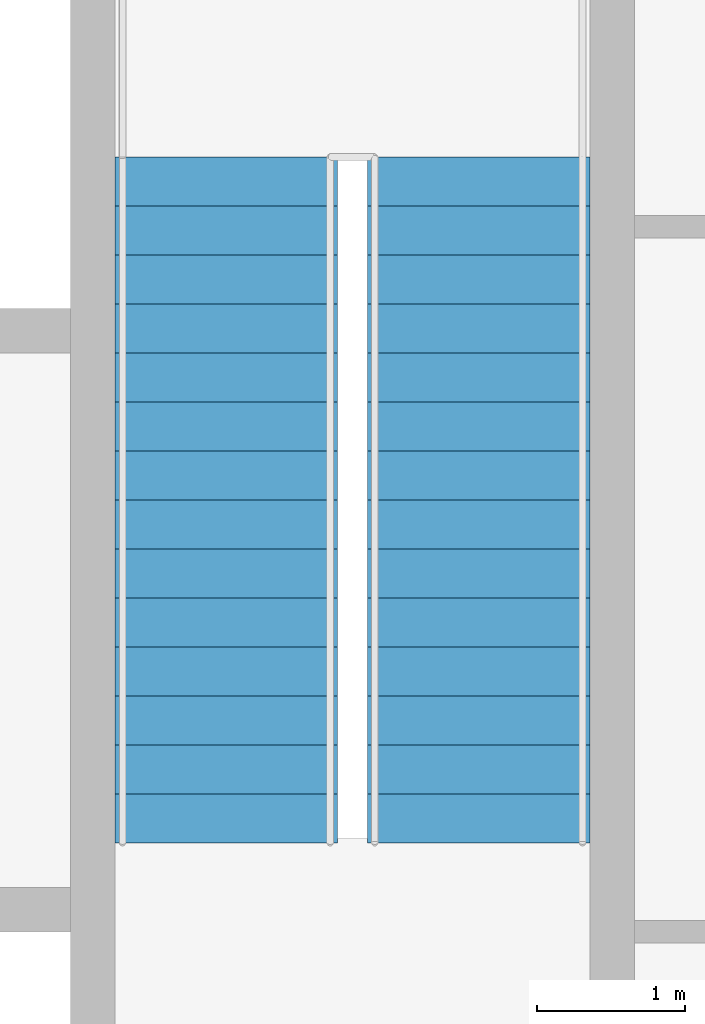
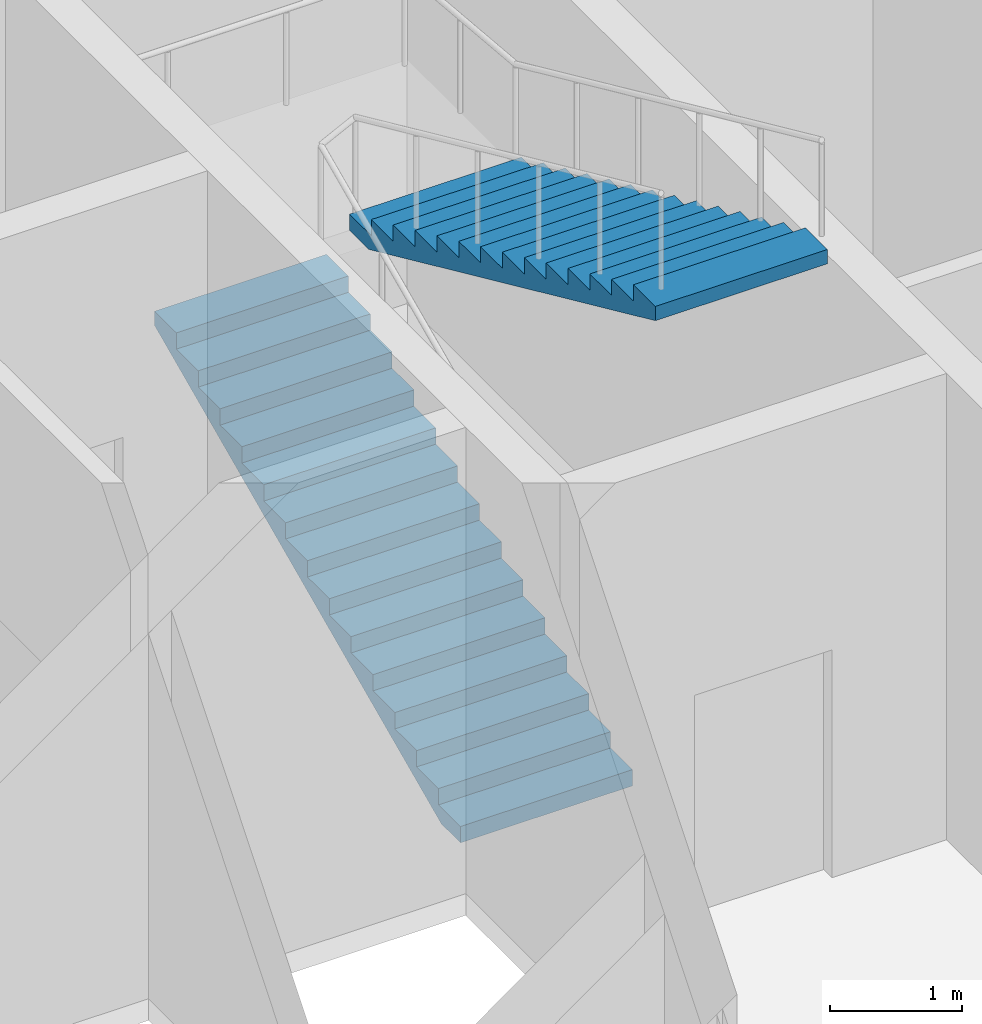
# One storey, part 10 of 11: 2 stair flights, 1 element without a shape of its own.
"""IFC4 building model written with IfcOpenShell, lengths in metres."""

from ifc_helpers import new_model, si_unit, direction, frame, origin, place, context, subcontext, project, spatial, polygons, material, type_object, element, aggregate, save


model = new_model("IFC4")

# Units and contexts
model_context = context("Model", 3, precision=1e-05, world=origin(), true_north=direction((0.0, 1.0)))
body_context = subcontext(model_context, "Body", "Model", "MODEL_VIEW")
ifc_project = project(units=[si_unit("LENGTHUNIT", "METRE"), si_unit("AREAUNIT", "SQUARE_METRE"), si_unit("VOLUMEUNIT", "CUBIC_METRE"), si_unit("PLANEANGLEUNIT", "RADIAN"), si_unit("MASSUNIT", "GRAM", prefix="KILO")], contexts=[model_context])

# Site, building, storey
site_placement = place(None, origin())
site = spatial("IfcSite", under=ifc_project, at=site_placement, CompositionType="ELEMENT")
building_placement = place(site_placement, origin())
building = spatial("IfcBuilding", under=site, at=building_placement, Name="Njiva Tower", CompositionType="ELEMENT")
storey_placement = place(building_placement, frame((0.0, 0.0, 124.8)))
storey = spatial("IfcBuildingStorey", under=building, at=storey_placement, Name="L26", CompositionType="ELEMENT", Elevation=124.8)

# Stair, stair flights
ifc_material = material(Name="Concrete C40/50", Category="concrete")
stair_type = type_object("IfcStairType", Name="ST4 Exit stair 1500", PredefinedType="HALF_TURN_STAIR", material=ifc_material)
stair_placement = place(storey_placement, origin())
stair = element("IfcStair", 1, at=stair_placement, inside=storey, type_object=stair_type, Name="Stair B", PredefinedType="HALF_TURN_STAIR")
stair_flight_type = type_object("IfcStairFlightType", Name="FL4 Stair flight 1500", PredefinedType="STRAIGHT", material=ifc_material)
stair_flight_1_placement = place(storey_placement, frame((11.75, 11.1, 0.0), z_axis=(0.0, 0.0, 1.0), x_axis=(0.0, 1.0, 0.0)))
stair_flight_1 = element("IfcStairFlight", 2, at=stair_flight_1_placement, type_object=stair_flight_type, Name="ST-B flight 1", NumberOfRisers=15, NumberOfTreads=14, PredefinedType="STRAIGHT", RiserHeight=0.15, TreadLength=0.33, context=body_context, shape_type="Tessellation", body=[
    polygons([(0.0, 0.75, 0.0), (0.0, 0.375, 0.0), (0.0, 0.0, 0.0), (0.0, -0.375, 0.0), (0.0, -0.75, 0.0), (0.0, 0.75, 0.15), (0.0, 0.375, 0.15), (0.0, 0.0, 0.15), (0.0, -0.375, 0.15), (0.0, -0.75, 0.15), (0.33, 0.75, 0.15), (0.33, 0.375, 0.15), (0.33, 0.0, 0.15), (0.33, -0.375, 0.15), (0.33, -0.75, 0.15), (0.33, 0.75, 0.3), (0.33, 0.375, 0.3), (0.33, 0.0, 0.3), (0.33, -0.375, 0.3), (0.33, -0.75, 0.3), (0.66, 0.75, 0.3), (0.66, 0.375, 0.3), (0.66, 0.0, 0.3), (0.66, -0.375, 0.3), (0.66, -0.75, 0.3), (0.66, 0.75, 0.45), (0.66, 0.375, 0.45), (0.66, 0.0, 0.45), (0.66, -0.375, 0.45), (0.66, -0.75, 0.45), (0.99, 0.75, 0.45), (0.99, 0.375, 0.45), (0.99, 0.0, 0.45), (0.99, -0.375, 0.45), (0.99, -0.75, 0.45), (0.99, 0.75, 0.6), (0.99, 0.375, 0.6), (0.99, 0.0, 0.6), (0.99, -0.375, 0.6), (0.99, -0.75, 0.6), (1.32, 0.75, 0.6), (1.32, 0.375, 0.6), (1.32, 0.0, 0.6), (1.32, -0.375, 0.6), (1.32, -0.75, 0.6), (1.32, 0.75, 0.75), (1.32, 0.375, 0.75), (1.32, 0.0, 0.75), (1.32, -0.375, 0.75), (1.32, -0.75, 0.75), (1.65, 0.75, 0.75), (1.65, 0.375, 0.75), (1.65, 0.0, 0.75), (1.65, -0.375, 0.75), (1.65, -0.75, 0.75), (1.65, 0.75, 0.9), (1.65, 0.375, 0.9), (1.65, 0.0, 0.9), (1.65, -0.375, 0.9), (1.65, -0.75, 0.9), (1.98, 0.75, 0.9), (1.98, 0.375, 0.9), (1.98, 0.0, 0.9), (1.98, -0.375, 0.9), (1.98, -0.75, 0.9), (1.98, 0.75, 1.05), (1.98, 0.375, 1.05), (1.98, 0.0, 1.05), (1.98, -0.375, 1.05), (1.98, -0.75, 1.05), (2.31, 0.75, 1.05), (2.31, 0.375, 1.05), (2.31, 0.0, 1.05), (2.31, -0.375, 1.05), (2.31, -0.75, 1.05), (2.31, 0.75, 1.2), (2.31, 0.375, 1.2), (2.31, 0.0, 1.2), (2.31, -0.375, 1.2), (2.31, -0.75, 1.2), (2.64, 0.75, 1.2), (2.64, 0.375, 1.2), (2.64, 0.0, 1.2), (2.64, -0.375, 1.2), (2.64, -0.75, 1.2), (2.64, 0.75, 1.35), (2.64, 0.375, 1.35), (2.64, 0.0, 1.35), (2.64, -0.375, 1.35), (2.64, -0.75, 1.35), (2.97, 0.75, 1.35), (2.97, 0.375, 1.35), (2.97, 0.0, 1.35), (2.97, -0.375, 1.35), (2.97, -0.75, 1.35), (2.97, 0.75, 1.5), (2.97, 0.375, 1.5), (2.97, 0.0, 1.5), (2.97, -0.375, 1.5), (2.97, -0.75, 1.5), (3.3, 0.75, 1.5), (3.3, 0.375, 1.5), (3.3, 0.0, 1.5), (3.3, -0.375, 1.5), (3.3, -0.75, 1.5), (3.3, 0.75, 1.65), (3.3, 0.375, 1.65), (3.3, 0.0, 1.65), (3.3, -0.375, 1.65), (3.3, -0.75, 1.65), (3.63, 0.75, 1.65), (3.63, 0.375, 1.65), (3.63, 0.0, 1.65), (3.63, -0.375, 1.65), (3.63, -0.75, 1.65), (3.63, 0.75, 1.8), (3.63, 0.375, 1.8), (3.63, 0.0, 1.8), (3.63, -0.375, 1.8), (3.63, -0.75, 1.8), (3.96, 0.75, 1.8), (3.96, 0.375, 1.8), (3.96, 0.0, 1.8), (3.96, -0.375, 1.8), (3.96, -0.75, 1.8), (3.96, 0.75, 1.95), (3.96, 0.375, 1.95), (3.96, 0.0, 1.95), (3.96, -0.375, 1.95), (3.96, -0.75, 1.95), (4.29, 0.75, 1.95), (4.29, 0.375, 1.95), (4.29, 0.0, 1.95), (4.29, -0.375, 1.95), (4.29, -0.75, 1.95), (4.29, 0.75, 2.1), (4.29, 0.375, 2.1), (4.29, 0.0, 2.1), (4.29, -0.375, 2.1), (4.29, -0.75, 2.1), (4.62, 0.75, 2.1), (4.62, 0.375, 2.1), (4.62, 0.0, 2.1), (4.62, -0.375, 2.1), (4.62, -0.75, 2.1), (4.62, 0.75, 1.9682), (4.62, 0.375, 1.9682), (4.62, 0.0, 1.9682), (4.62, -0.375, 1.9682), (4.62, -0.75, 1.9682), (0.29, 0.75, 0.0), (0.29, 0.375, 0.0), (0.29, 0.0, 0.0), (0.29, -0.375, 0.0), (0.29, -0.75, 0.0)], [[[1, 6, 11, 16, 21, 26, 31, 36, 41, 46, 51, 56, 61, 66, 71, 76, 81, 86, 91, 96, 101, 106, 111, 116, 121, 126, 131, 136, 141, 146, 151]], [[155, 150, 145, 140, 135, 130, 125, 120, 115, 110, 105, 100, 95, 90, 85, 80, 75, 70, 65, 60, 55, 50, 45, 40, 35, 30, 25, 20, 15, 10, 5]], [[6, 1, 2, 7]], [[7, 2, 3, 8]], [[8, 3, 4, 9]], [[9, 4, 5, 10]], [[11, 6, 7, 12]], [[12, 7, 8, 13]], [[13, 8, 9, 14]], [[14, 9, 10, 15]], [[16, 11, 12, 17]], [[17, 12, 13, 18]], [[18, 13, 14, 19]], [[19, 14, 15, 20]], [[21, 16, 17, 22]], [[22, 17, 18, 23]], [[23, 18, 19, 24]], [[24, 19, 20, 25]], [[26, 21, 22, 27]], [[27, 22, 23, 28]], [[28, 23, 24, 29]], [[29, 24, 25, 30]], [[31, 26, 27, 32]], [[32, 27, 28, 33]], [[33, 28, 29, 34]], [[34, 29, 30, 35]], [[36, 31, 32, 37]], [[37, 32, 33, 38]], [[38, 33, 34, 39]], [[39, 34, 35, 40]], [[41, 36, 37, 42]], [[42, 37, 38, 43]], [[43, 38, 39, 44]], [[44, 39, 40, 45]], [[46, 41, 42, 47]], [[47, 42, 43, 48]], [[48, 43, 44, 49]], [[49, 44, 45, 50]], [[51, 46, 47, 52]], [[52, 47, 48, 53]], [[53, 48, 49, 54]], [[54, 49, 50, 55]], [[56, 51, 52, 57]], [[57, 52, 53, 58]], [[58, 53, 54, 59]], [[59, 54, 55, 60]], [[61, 56, 57, 62]], [[62, 57, 58, 63]], [[63, 58, 59, 64]], [[64, 59, 60, 65]], [[66, 61, 62, 67]], [[67, 62, 63, 68]], [[68, 63, 64, 69]], [[69, 64, 65, 70]], [[71, 66, 67, 72]], [[72, 67, 68, 73]], [[73, 68, 69, 74]], [[74, 69, 70, 75]], [[76, 71, 72, 77]], [[77, 72, 73, 78]], [[78, 73, 74, 79]], [[79, 74, 75, 80]], [[81, 76, 77, 82]], [[82, 77, 78, 83]], [[83, 78, 79, 84]], [[84, 79, 80, 85]], [[86, 81, 82, 87]], [[87, 82, 83, 88]], [[88, 83, 84, 89]], [[89, 84, 85, 90]], [[91, 86, 87, 92]], [[92, 87, 88, 93]], [[93, 88, 89, 94]], [[94, 89, 90, 95]], [[96, 91, 92, 97]], [[97, 92, 93, 98]], [[98, 93, 94, 99]], [[99, 94, 95, 100]], [[101, 96, 97, 102]], [[102, 97, 98, 103]], [[103, 98, 99, 104]], [[104, 99, 100, 105]], [[106, 101, 102, 107]], [[107, 102, 103, 108]], [[108, 103, 104, 109]], [[109, 104, 105, 110]], [[111, 106, 107, 112]], [[112, 107, 108, 113]], [[113, 108, 109, 114]], [[114, 109, 110, 115]], [[116, 111, 112, 117]], [[117, 112, 113, 118]], [[118, 113, 114, 119]], [[119, 114, 115, 120]], [[121, 116, 117, 122]], [[122, 117, 118, 123]], [[123, 118, 119, 124]], [[124, 119, 120, 125]], [[126, 121, 122, 127]], [[127, 122, 123, 128]], [[128, 123, 124, 129]], [[129, 124, 125, 130]], [[131, 126, 127, 132]], [[132, 127, 128, 133]], [[133, 128, 129, 134]], [[134, 129, 130, 135]], [[136, 131, 132, 137]], [[137, 132, 133, 138]], [[138, 133, 134, 139]], [[139, 134, 135, 140]], [[141, 136, 137, 142]], [[142, 137, 138, 143]], [[143, 138, 139, 144]], [[144, 139, 140, 145]], [[146, 141, 142, 147]], [[147, 142, 143, 148]], [[148, 143, 144, 149]], [[149, 144, 145, 150]], [[151, 146, 147, 152]], [[152, 147, 148, 153]], [[153, 148, 149, 154]], [[154, 149, 150, 155]], [[1, 151, 152, 2]], [[2, 152, 153, 3]], [[3, 153, 154, 4]], [[4, 154, 155, 5]]], closed=True),
])
stair_flight_2_placement = place(storey_placement, frame((13.45, 15.72, 2.25), z_axis=(0.0, 0.0, 1.0), x_axis=(0.0, -1.0, 0.0)))
stair_flight_2 = element("IfcStairFlight", 3, at=stair_flight_2_placement, type_object=stair_flight_type, Name="ST-B flight 2", NumberOfRisers=15, NumberOfTreads=14, PredefinedType="STRAIGHT", RiserHeight=0.15, TreadLength=0.33, context=body_context, shape_type="Tessellation", body=[
    polygons([(0.0, 0.75, 0.0), (0.0, 0.375, 0.0), (0.0, 0.0, 0.0), (0.0, -0.375, 0.0), (0.0, -0.75, 0.0), (0.0, 0.75, 0.15), (0.0, 0.375, 0.15), (0.0, 0.0, 0.15), (0.0, -0.375, 0.15), (0.0, -0.75, 0.15), (0.33, 0.75, 0.15), (0.33, 0.375, 0.15), (0.33, 0.0, 0.15), (0.33, -0.375, 0.15), (0.33, -0.75, 0.15), (0.33, 0.75, 0.3), (0.33, 0.375, 0.3), (0.33, 0.0, 0.3), (0.33, -0.375, 0.3), (0.33, -0.75, 0.3), (0.66, 0.75, 0.3), (0.66, 0.375, 0.3), (0.66, 0.0, 0.3), (0.66, -0.375, 0.3), (0.66, -0.75, 0.3), (0.66, 0.75, 0.45), (0.66, 0.375, 0.45), (0.66, 0.0, 0.45), (0.66, -0.375, 0.45), (0.66, -0.75, 0.45), (0.99, 0.75, 0.45), (0.99, 0.375, 0.45), (0.99, 0.0, 0.45), (0.99, -0.375, 0.45), (0.99, -0.75, 0.45), (0.99, 0.75, 0.6), (0.99, 0.375, 0.6), (0.99, 0.0, 0.6), (0.99, -0.375, 0.6), (0.99, -0.75, 0.6), (1.32, 0.75, 0.6), (1.32, 0.375, 0.6), (1.32, 0.0, 0.6), (1.32, -0.375, 0.6), (1.32, -0.75, 0.6), (1.32, 0.75, 0.75), (1.32, 0.375, 0.75), (1.32, 0.0, 0.75), (1.32, -0.375, 0.75), (1.32, -0.75, 0.75), (1.65, 0.75, 0.75), (1.65, 0.375, 0.75), (1.65, 0.0, 0.75), (1.65, -0.375, 0.75), (1.65, -0.75, 0.75), (1.65, 0.75, 0.9), (1.65, 0.375, 0.9), (1.65, 0.0, 0.9), (1.65, -0.375, 0.9), (1.65, -0.75, 0.9), (1.98, 0.75, 0.9), (1.98, 0.375, 0.9), (1.98, 0.0, 0.9), (1.98, -0.375, 0.9), (1.98, -0.75, 0.9), (1.98, 0.75, 1.05), (1.98, 0.375, 1.05), (1.98, 0.0, 1.05), (1.98, -0.375, 1.05), (1.98, -0.75, 1.05), (2.31, 0.75, 1.05), (2.31, 0.375, 1.05), (2.31, 0.0, 1.05), (2.31, -0.375, 1.05), (2.31, -0.75, 1.05), (2.31, 0.75, 1.2), (2.31, 0.375, 1.2), (2.31, 0.0, 1.2), (2.31, -0.375, 1.2), (2.31, -0.75, 1.2), (2.64, 0.75, 1.2), (2.64, 0.375, 1.2), (2.64, 0.0, 1.2), (2.64, -0.375, 1.2), (2.64, -0.75, 1.2), (2.64, 0.75, 1.35), (2.64, 0.375, 1.35), (2.64, 0.0, 1.35), (2.64, -0.375, 1.35), (2.64, -0.75, 1.35), (2.97, 0.75, 1.35), (2.97, 0.375, 1.35), (2.97, 0.0, 1.35), (2.97, -0.375, 1.35), (2.97, -0.75, 1.35), (2.97, 0.75, 1.5), (2.97, 0.375, 1.5), (2.97, 0.0, 1.5), (2.97, -0.375, 1.5), (2.97, -0.75, 1.5), (3.3, 0.75, 1.5), (3.3, 0.375, 1.5), (3.3, 0.0, 1.5), (3.3, -0.375, 1.5), (3.3, -0.75, 1.5), (3.3, 0.75, 1.65), (3.3, 0.375, 1.65), (3.3, 0.0, 1.65), (3.3, -0.375, 1.65), (3.3, -0.75, 1.65), (3.63, 0.75, 1.65), (3.63, 0.375, 1.65), (3.63, 0.0, 1.65), (3.63, -0.375, 1.65), (3.63, -0.75, 1.65), (3.63, 0.75, 1.8), (3.63, 0.375, 1.8), (3.63, 0.0, 1.8), (3.63, -0.375, 1.8), (3.63, -0.75, 1.8), (3.96, 0.75, 1.8), (3.96, 0.375, 1.8), (3.96, 0.0, 1.8), (3.96, -0.375, 1.8), (3.96, -0.75, 1.8), (3.96, 0.75, 1.95), (3.96, 0.375, 1.95), (3.96, 0.0, 1.95), (3.96, -0.375, 1.95), (3.96, -0.75, 1.95), (4.29, 0.75, 1.95), (4.29, 0.375, 1.95), (4.29, 0.0, 1.95), (4.29, -0.375, 1.95), (4.29, -0.75, 1.95), (4.29, 0.75, 2.1), (4.29, 0.375, 2.1), (4.29, 0.0, 2.1), (4.29, -0.375, 2.1), (4.29, -0.75, 2.1), (4.62, 0.75, 2.1), (4.62, 0.375, 2.1), (4.62, 0.0, 2.1), (4.62, -0.375, 2.1), (4.62, -0.75, 2.1), (4.62, 0.75, 1.9682), (4.62, 0.375, 1.9682), (4.62, 0.0, 1.9682), (4.62, -0.375, 1.9682), (4.62, -0.75, 1.9682), (0.29, 0.75, 0.0), (0.29, 0.375, 0.0), (0.29, 0.0, 0.0), (0.29, -0.375, 0.0), (0.29, -0.75, 0.0)], [[[1, 6, 11, 16, 21, 26, 31, 36, 41, 46, 51, 56, 61, 66, 71, 76, 81, 86, 91, 96, 101, 106, 111, 116, 121, 126, 131, 136, 141, 146, 151]], [[155, 150, 145, 140, 135, 130, 125, 120, 115, 110, 105, 100, 95, 90, 85, 80, 75, 70, 65, 60, 55, 50, 45, 40, 35, 30, 25, 20, 15, 10, 5]], [[6, 1, 2, 7]], [[7, 2, 3, 8]], [[8, 3, 4, 9]], [[9, 4, 5, 10]], [[11, 6, 7, 12]], [[12, 7, 8, 13]], [[13, 8, 9, 14]], [[14, 9, 10, 15]], [[16, 11, 12, 17]], [[17, 12, 13, 18]], [[18, 13, 14, 19]], [[19, 14, 15, 20]], [[21, 16, 17, 22]], [[22, 17, 18, 23]], [[23, 18, 19, 24]], [[24, 19, 20, 25]], [[26, 21, 22, 27]], [[27, 22, 23, 28]], [[28, 23, 24, 29]], [[29, 24, 25, 30]], [[31, 26, 27, 32]], [[32, 27, 28, 33]], [[33, 28, 29, 34]], [[34, 29, 30, 35]], [[36, 31, 32, 37]], [[37, 32, 33, 38]], [[38, 33, 34, 39]], [[39, 34, 35, 40]], [[41, 36, 37, 42]], [[42, 37, 38, 43]], [[43, 38, 39, 44]], [[44, 39, 40, 45]], [[46, 41, 42, 47]], [[47, 42, 43, 48]], [[48, 43, 44, 49]], [[49, 44, 45, 50]], [[51, 46, 47, 52]], [[52, 47, 48, 53]], [[53, 48, 49, 54]], [[54, 49, 50, 55]], [[56, 51, 52, 57]], [[57, 52, 53, 58]], [[58, 53, 54, 59]], [[59, 54, 55, 60]], [[61, 56, 57, 62]], [[62, 57, 58, 63]], [[63, 58, 59, 64]], [[64, 59, 60, 65]], [[66, 61, 62, 67]], [[67, 62, 63, 68]], [[68, 63, 64, 69]], [[69, 64, 65, 70]], [[71, 66, 67, 72]], [[72, 67, 68, 73]], [[73, 68, 69, 74]], [[74, 69, 70, 75]], [[76, 71, 72, 77]], [[77, 72, 73, 78]], [[78, 73, 74, 79]], [[79, 74, 75, 80]], [[81, 76, 77, 82]], [[82, 77, 78, 83]], [[83, 78, 79, 84]], [[84, 79, 80, 85]], [[86, 81, 82, 87]], [[87, 82, 83, 88]], [[88, 83, 84, 89]], [[89, 84, 85, 90]], [[91, 86, 87, 92]], [[92, 87, 88, 93]], [[93, 88, 89, 94]], [[94, 89, 90, 95]], [[96, 91, 92, 97]], [[97, 92, 93, 98]], [[98, 93, 94, 99]], [[99, 94, 95, 100]], [[101, 96, 97, 102]], [[102, 97, 98, 103]], [[103, 98, 99, 104]], [[104, 99, 100, 105]], [[106, 101, 102, 107]], [[107, 102, 103, 108]], [[108, 103, 104, 109]], [[109, 104, 105, 110]], [[111, 106, 107, 112]], [[112, 107, 108, 113]], [[113, 108, 109, 114]], [[114, 109, 110, 115]], [[116, 111, 112, 117]], [[117, 112, 113, 118]], [[118, 113, 114, 119]], [[119, 114, 115, 120]], [[121, 116, 117, 122]], [[122, 117, 118, 123]], [[123, 118, 119, 124]], [[124, 119, 120, 125]], [[126, 121, 122, 127]], [[127, 122, 123, 128]], [[128, 123, 124, 129]], [[129, 124, 125, 130]], [[131, 126, 127, 132]], [[132, 127, 128, 133]], [[133, 128, 129, 134]], [[134, 129, 130, 135]], [[136, 131, 132, 137]], [[137, 132, 133, 138]], [[138, 133, 134, 139]], [[139, 134, 135, 140]], [[141, 136, 137, 142]], [[142, 137, 138, 143]], [[143, 138, 139, 144]], [[144, 139, 140, 145]], [[146, 141, 142, 147]], [[147, 142, 143, 148]], [[148, 143, 144, 149]], [[149, 144, 145, 150]], [[151, 146, 147, 152]], [[152, 147, 148, 153]], [[153, 148, 149, 154]], [[154, 149, 150, 155]], [[1, 151, 152, 2]], [[2, 152, 153, 3]], [[3, 153, 154, 4]], [[4, 154, 155, 5]]], closed=True),
])
aggregate(stair, [stair_flight_1, stair_flight_2])

save(model, "model.ifc")
